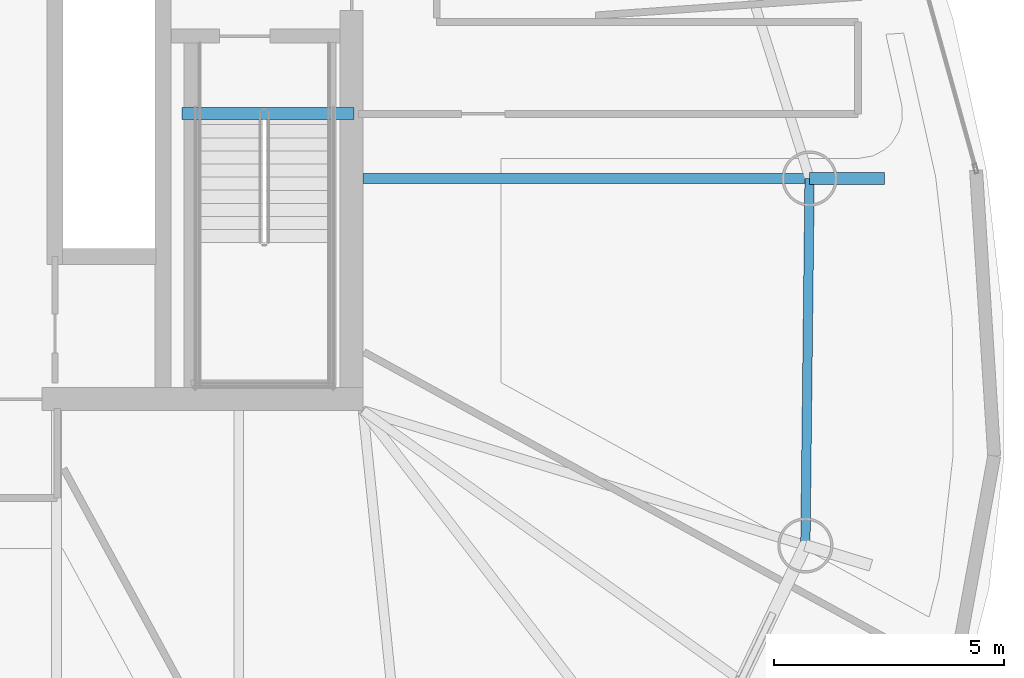
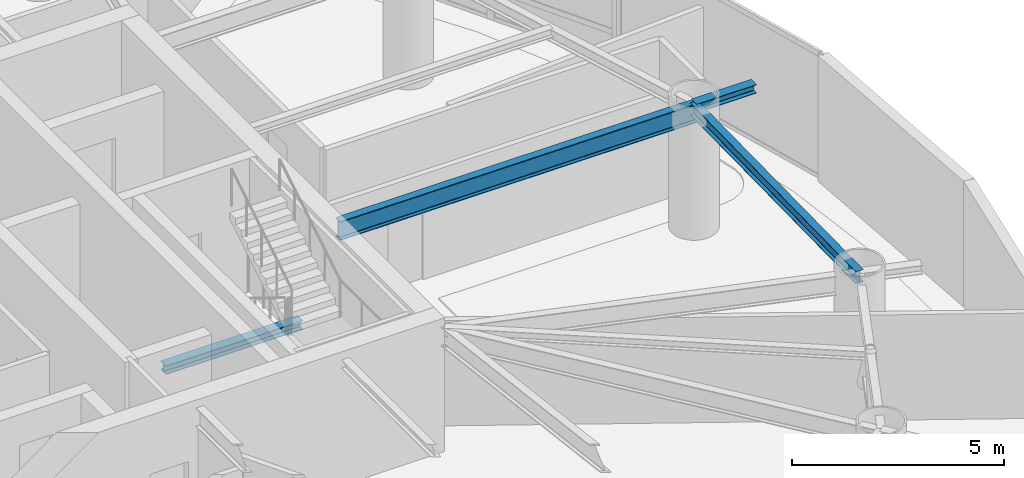
# One storey, part 8 of 22: 4 beams.
"""IFC4 building model written with IfcOpenShell, lengths in metres."""

from ifc_helpers import new_model, si_unit, direction, frame, origin, origin_2d, place, context, subcontext, project, spatial, i_section, extrude, material, material_profile, profile_set, type_object, element, save


model = new_model("IFC4")

# Units and contexts
model_context = context("Model", 3, precision=1e-05, world=origin(), true_north=direction((0.0, 1.0)))
body_context = subcontext(model_context, "Body", "Model", "MODEL_VIEW")
ifc_project = project(units=[si_unit("LENGTHUNIT", "METRE"), si_unit("AREAUNIT", "SQUARE_METRE"), si_unit("VOLUMEUNIT", "CUBIC_METRE"), si_unit("PLANEANGLEUNIT", "RADIAN"), si_unit("MASSUNIT", "GRAM", prefix="KILO")], contexts=[model_context])

# Site, building, storey
site_placement = place(None, origin())
site = spatial("IfcSite", under=ifc_project, at=site_placement, CompositionType="ELEMENT")
building_placement = place(site_placement, origin())
building = spatial("IfcBuilding", under=site, at=building_placement, Name="Bramvorn Convention Spire", CompositionType="ELEMENT")
storey_placement = place(building_placement, frame((0.0, 0.0, 190.449951171875)))
storey = spatial("IfcBuildingStorey", under=building, at=storey_placement, Name="L48", CompositionType="ELEMENT", Elevation=190.449951171875)

# Beams
ifc_material = material(Name="Steel CSA G40.21 Grade 350 (350W)", Category="steel")
ifc_material_profile_1 = material_profile(ifc_material, i_section(OverallWidth=0.25390625, OverallDepth=0.2529296875, WebThickness=0.008544921875, FlangeThickness=0.01416015625, FilletRadius=0.011962890625, at=origin_2d()))
ifc_profile_set_1 = profile_set([ifc_material_profile_1], Name="Steel CSA G40.21 Grade 350 (350W) - W250X73")
beam_type_1 = type_object("IfcBeamType", Name="BM-W250X73", PredefinedType="BEAM", material=ifc_profile_set_1)
beam_1_placement = place(storey_placement, frame((58.95458984375, 23.593505859375, 3.49365234375), z_axis=(1.0, 0.0, 0.0), x_axis=(0.0, 1.0, 0.0)))
element("IfcBeam", 1, at=beam_1_placement, inside=storey, type_object=beam_type_1, Name="L48 slab-edge cantilever tip beam MC03", PredefinedType="BEAM", context=body_context, shape_type="SweptSolid", body=[
    extrude(i_section(OverallWidth=0.25390625, OverallDepth=0.2529296875, WebThickness=0.008544921875, FlangeThickness=0.01416015625, FilletRadius=0.011962890625, at=origin_2d()), origin(), (0.0, 0.0, 1.0), 1.633544921875),
])
beam_2_placement = place(storey_placement, frame((45.31005859375, 25.010009765625, -0.12646484375), z_axis=(1.0, 0.0, 0.0), x_axis=(0.0, 1.0, 0.0)))
element("IfcBeam", 2, at=beam_2_placement, inside=storey, type_object=beam_type_1, Name="L48 ST2 stair arrival header beam", PredefinedType="BEAM", context=body_context, shape_type="SweptSolid", body=[
    extrude(i_section(OverallWidth=0.25390625, OverallDepth=0.2529296875, WebThickness=0.008544921875, FlangeThickness=0.01416015625, FilletRadius=0.011962890625, at=origin_2d()), origin(), (0.0, 0.0, 1.0), 3.739990234375),
])
ifc_material_profile_2 = material_profile(ifc_material, i_section(OverallWidth=0.205078125, OverallDepth=0.35400390625, WebThickness=0.009521484375, FlangeThickness=0.016845703125, FilletRadius=0.014892578125, at=origin_2d()))
ifc_profile_set_2 = profile_set([ifc_material_profile_2], Name="Steel CSA G40.21 Grade 350 (350W) - W360X79")
beam_type_2 = type_object("IfcBeamType", Name="BM-W360X79", PredefinedType="JOIST", material=ifc_profile_set_2)
beam_3_placement = place(storey_placement, frame((58.863037109375, 15.619384765625, 3.443115234375), z_axis=(0.011480475367, 0.999934097171, 0.0), x_axis=(-0.999934097171, 0.011480475367, 0.0)))
element("IfcBeam", 3, at=beam_3_placement, inside=storey, type_object=beam_type_2, Name="L48 mega-column ring beam 02", PredefinedType="JOIST", context=body_context, shape_type="SweptSolid", body=[
    extrude(i_section(OverallWidth=0.205078125, OverallDepth=0.35400390625, WebThickness=0.009521484375, FlangeThickness=0.016845703125, FilletRadius=0.014892578125, at=origin_2d()), origin(), (0.0, 0.0, 1.0), 7.974609375),
])
ifc_material_profile_3 = material_profile(ifc_material, i_section(OverallWidth=0.2119140625, OverallDepth=0.5439453125, WebThickness=0.01318359375, FlangeThickness=0.021240234375, FilletRadius=0.01904296875, at=origin_2d()))
ifc_profile_set_3 = profile_set([ifc_material_profile_3], Name="Steel CSA G40.21 Grade 350 (350W) - W530X123")
beam_type_3 = type_object("IfcBeamType", Name="BM-W530X123", PredefinedType="BEAM", material=ifc_profile_set_3)
beam_4_placement = place(storey_placement, frame((49.25, 23.593505859375, 3.34814453125), z_axis=(1.0, 0.0, 0.0), x_axis=(0.0, 1.0, 0.0)))
element("IfcBeam", 4, at=beam_4_placement, inside=storey, type_object=beam_type_3, Name="L48 radial floor girder MC03", PredefinedType="BEAM", context=body_context, shape_type="SweptSolid", body=[
    extrude(i_section(OverallWidth=0.2119140625, OverallDepth=0.5439453125, WebThickness=0.01318359375, FlangeThickness=0.021240234375, FilletRadius=0.01904296875, at=origin_2d()), origin(), (0.0, 0.0, 1.0), 9.70458984375),
])

save(model, "model.ifc")
